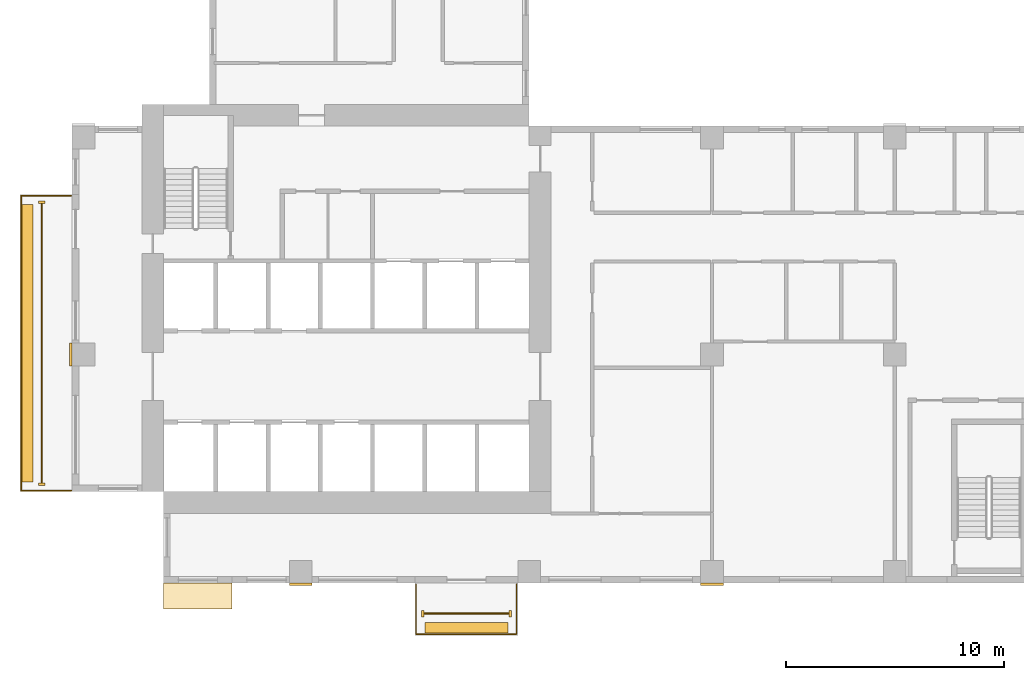
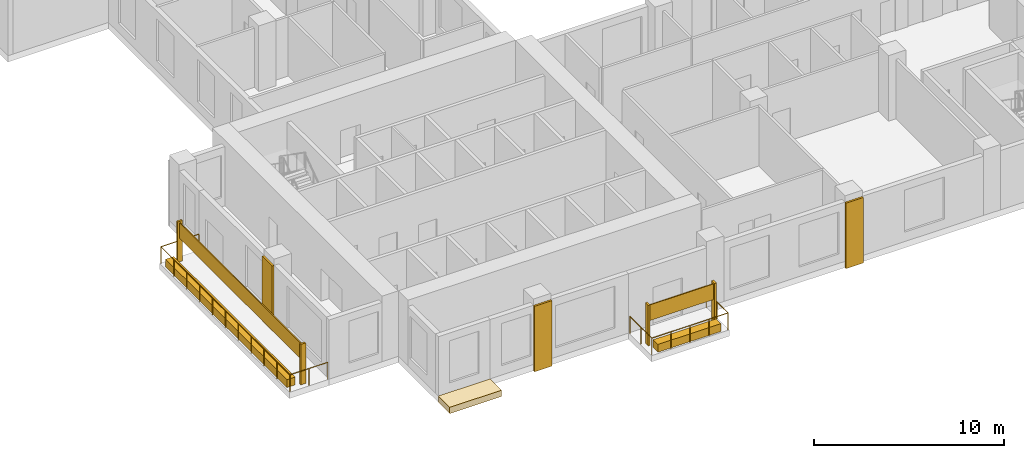
# One storey, part 9 of 13: 12 coverings, 2 railings.
"""IFC4 building model written with IfcOpenShell, lengths in metres."""

from ifc_helpers import new_model, si_unit, direction, frame, origin, origin_2d, place, context, subcontext, project, spatial, polyline, rectangle, circle, outline, extrude, source, transform, mapped, material, type_object, element, save


model = new_model("IFC4")

# Units and contexts
model_context = context("Model", 3, precision=1e-05, world=origin(), true_north=direction((0.0, 1.0)))
body_context = subcontext(model_context, "Body", "Model", "MODEL_VIEW")
ifc_project = project(units=[si_unit("LENGTHUNIT", "METRE"), si_unit("AREAUNIT", "SQUARE_METRE"), si_unit("VOLUMEUNIT", "CUBIC_METRE"), si_unit("PLANEANGLEUNIT", "RADIAN"), si_unit("MASSUNIT", "GRAM", prefix="KILO")], contexts=[model_context])

# Site, building, storey
site_placement = place(None, origin())
site = spatial("IfcSite", under=ifc_project, at=site_placement, CompositionType="ELEMENT")
building_placement = place(site_placement, origin())
building = spatial("IfcBuilding", under=site, at=building_placement, Name="Aurelian Terraces", CompositionType="ELEMENT")
storey_placement = place(building_placement, frame((0.0, 0.0, 158.1)))
storey = spatial("IfcBuildingStorey", under=building, at=storey_placement, Name="L35", CompositionType="ELEMENT", Elevation=158.1)

# Coverings
ifc_material_1 = material(Name="Terracotta rainscreen cladding relief", Category="masonry")
covering_type_1 = type_object("IfcCoveringType", Name="FIN-TC", PredefinedType="CLADDING", material=ifc_material_1)
shared_shape_1 = source(origin(), body_context, "Body", "SweptSolid", [
    extrude(rectangle(XDim=0.3, YDim=0.12, at=origin_2d()), origin(), (0.0, 0.0, 1.0), 2.6),
])
for number, where, z_axis, x_axis, name in (
    (1, (-1.4, 17.5, 0.0), (0.0, 0.0, 1.0), (1.0, 0.0, 0.0), "FIN L35 L35-F20-38.1"),
    (2, (-1.4, 4.55, 0.0), (0.0, 0.0, 1.0), (1.0, 0.0, 0.0), "FIN L35 L35-F20-38.2"),
):
    element("IfcCovering", number, at=place(storey_placement, frame(where, z_axis=z_axis, x_axis=x_axis)), inside=storey, type_object=covering_type_1, Name=name, PredefinedType="CLADDING", context=body_context, shape_type="MappedRepresentation", body=[
        mapped(shared_shape_1, transform((0.0, 0.0, 0.0), scale=1.0)),
    ])
shared_shape_2 = source(origin(), body_context, "Body", "SweptSolid", [
    extrude(rectangle(XDim=0.12, YDim=0.3, at=origin_2d()), origin(), (0.0, 0.0, 1.0), 2.6),
])
for number, where, z_axis, x_axis, name in (
    (3, (16.1, -1.4, 0.0), (0.0, 0.0, 1.0), (1.0, 0.0, 0.0), "FIN L35 L35-F01-04.1"),
    (4, (20.125, -1.4, 0.0), (0.0, 0.0, 1.0), (1.0, 0.0, 0.0), "FIN L35 L35-F01-04.2"),
):
    element("IfcCovering", number, at=place(storey_placement, frame(where, z_axis=z_axis, x_axis=x_axis)), inside=storey, type_object=covering_type_1, Name=name, PredefinedType="CLADDING", context=body_context, shape_type="MappedRepresentation", body=[
        mapped(shared_shape_2, transform((0.0, 0.0, 0.0), scale=1.0)),
    ])

# Railing
ifc_material_2 = material(Name="Anodised aluminium", Category="aluminium")
railing_type = type_object("IfcRailingType", Name="GUARD-1100", PredefinedType="GUARDRAIL", material=ifc_material_2)
shared_shape_3 = source(origin(), body_context, "Body", "SweptSolid", [
    extrude(circle(Radius=0.024, at=origin_2d()), frame((0.0, 0.0, 1.076), z_axis=(-1.0, 0.0, 0.0), x_axis=(0.0, -1.0, 0.0)), (0.0, 0.0, 1.0), 2.3),
    extrude(circle(Radius=0.024, at=origin_2d()), frame((-2.3, 0.0, 1.076), z_axis=(0.0, -1.0, 0.0), x_axis=(1.0, 0.0, 0.0)), (0.0, 0.0, 1.0), 13.55),
    extrude(circle(Radius=0.024, at=origin_2d()), frame((-2.3, -13.55, 1.076), z_axis=(1.0, 0.0, 0.0), x_axis=(0.0, 1.0, 0.0)), (0.0, 0.0, 1.0), 2.3),
    extrude(circle(Radius=0.021, at=origin_2d()), origin(), (0.0, 0.0, 1.0), 1.052),
    extrude(circle(Radius=0.021, at=origin_2d()), frame((-1.15, 0.0, 0.0)), (0.0, 0.0, 1.0), 1.052),
    extrude(circle(Radius=0.021, at=origin_2d()), frame((-2.3, 0.0, 0.0)), (0.0, 0.0, 1.0), 1.052),
    extrude(circle(Radius=0.021, at=origin_2d()), frame((-2.3, -1.355, 0.0)), (0.0, 0.0, 1.0), 1.052),
    extrude(circle(Radius=0.021, at=origin_2d()), frame((-2.3, -2.71, 0.0)), (0.0, 0.0, 1.0), 1.052),
    extrude(circle(Radius=0.021, at=origin_2d()), frame((-2.3, -4.065, 0.0)), (0.0, 0.0, 1.0), 1.052),
    extrude(circle(Radius=0.021, at=origin_2d()), frame((-2.3, -5.42, 0.0)), (0.0, 0.0, 1.0), 1.052),
    extrude(circle(Radius=0.021, at=origin_2d()), frame((-2.3, -6.775, 0.0)), (0.0, 0.0, 1.0), 1.052),
    extrude(circle(Radius=0.021, at=origin_2d()), frame((-2.3, -8.13, 0.0)), (0.0, 0.0, 1.0), 1.052),
    extrude(circle(Radius=0.021, at=origin_2d()), frame((-2.3, -9.485, 0.0)), (0.0, 0.0, 1.0), 1.052),
    extrude(circle(Radius=0.021, at=origin_2d()), frame((-2.3, -10.84, 0.0)), (0.0, 0.0, 1.0), 1.052),
    extrude(circle(Radius=0.021, at=origin_2d()), frame((-2.3, -12.195, 0.0)), (0.0, 0.0, 1.0), 1.052),
    extrude(circle(Radius=0.021, at=origin_2d()), frame((-2.3, -13.55, 0.0)), (0.0, 0.0, 1.0), 1.052),
    extrude(circle(Radius=0.021, at=origin_2d()), frame((-1.15, -13.55, 0.0)), (0.0, 0.0, 1.0), 1.052),
    extrude(circle(Radius=0.021, at=origin_2d()), frame((0.0, -13.55, 0.0)), (0.0, 0.0, 1.0), 1.052),
])
railing_1_placement = place(storey_placement, frame((-0.05, 17.8, 0.0)))
element("IfcRailing", 5, at=railing_1_placement, inside=storey, type_object=railing_type, Name="Balcony guard L35 F20.38", PredefinedType="GUARDRAIL", context=body_context, shape_type="MappedRepresentation", body=[
    mapped(shared_shape_3, transform((0.0, 0.0, 0.0), scale=1.0)),
])

# Coverings
ifc_material_3 = material(Name="Terracotta planter with planting soil", Category="masonry")
covering_type_2 = type_object("IfcCoveringType", Name="PLANTER-TROUGH", PredefinedType="USERDEFINED", material=ifc_material_3)
shared_shape_4 = source(origin(), body_context, "Body", "SweptSolid", [
    extrude(rectangle(XDim=0.5, YDim=12.75, at=origin_2d()), origin(), (0.0, 0.0, 1.0), 0.5),
])
covering_1_placement = place(storey_placement, frame((-2.05, 11.025, 0.0), z_axis=(0.0, 0.0, 1.0), x_axis=(1.0, 0.0, 0.0)))
element("IfcCovering", 6, at=covering_1_placement, inside=storey, type_object=covering_type_2, Name="PLANTER L35 L35-F20-38", ObjectType="PLANTER", PredefinedType="USERDEFINED", context=body_context, shape_type="MappedRepresentation", body=[
    mapped(shared_shape_4, transform((0.0, 0.0, 0.0), scale=1.0)),
])
ifc_material_4 = material(Name="Terracotta rainscreen cladding", Category="masonry")
covering_type_3 = type_object("IfcCoveringType", Name="SCREEN-TC", PredefinedType="CLADDING", material=ifc_material_4)
shared_shape_5 = source(origin(), body_context, "Body", "SweptSolid", [
    extrude(rectangle(XDim=0.06, YDim=12.83, at=origin_2d()), origin(), (0.0, 0.0, 1.0), 1.0),
])
covering_2_placement = place(storey_placement, frame((-1.4, 11.025, 1.5), z_axis=(0.0, 0.0, 1.0), x_axis=(1.0, 0.0, 0.0)))
element("IfcCovering", 7, at=covering_2_placement, inside=storey, type_object=covering_type_3, Name="SCREEN L35 L35-F20-38", PredefinedType="CLADDING", context=body_context, shape_type="MappedRepresentation", body=[
    mapped(shared_shape_5, transform((0.0, 0.0, 0.0), scale=1.0)),
])
ifc_material_5 = material(Name="Terracotta roof tiles on membrane", Category="masonry")
covering_type_4 = type_object("IfcCoveringType", Name="Bay roof cover", PredefinedType="ROOFING", material=ifc_material_5)
shared_shape_6 = source(origin(), body_context, "Body", "SweptSolid", [
    extrude(outline(polyline([(4.2, 0.0), (7.35, 0.0), (7.35, -1.2), (4.2, -1.2), (4.2, 0.0)])), origin(), (0.0, 0.0, 1.0), 0.4),
])
covering_3_placement = place(storey_placement, frame((0.0, 0.0, -0.4)))
element("IfcCovering", 8, at=covering_3_placement, inside=storey, type_object=covering_type_4, Name="Bay roof L35 4.20_-1.20_7.35_0.00", PredefinedType="ROOFING", context=body_context, shape_type="MappedRepresentation", body=[
    mapped(shared_shape_6, transform((0.0, 0.0, 0.0), scale=1.0)),
])
covering_type_5 = type_object("IfcCoveringType", Name="BAGUETTE-TC", PredefinedType="CLADDING", material=ifc_material_1)
shared_shape_7 = source(origin(), body_context, "Body", "SweptSolid", [
    extrude(rectangle(XDim=1.05, YDim=0.12, at=origin_2d()), origin(), (0.0, 0.0, 1.0), 4.2),
])
for number, where, z_axis, x_axis, name in (
    (9, (10.5, -0.06, -0.4), (0.0, 0.0, 1.0), (1.0, 0.0, 0.0), "BAGUETTE pier L35 1"),
    (10, (29.4, -0.06, -0.4), (0.0, 0.0, 1.0), (1.0, 0.0, 0.0), "BAGUETTE pier L35 2"),
):
    element("IfcCovering", number, at=place(storey_placement, frame(where, z_axis=z_axis, x_axis=x_axis)), inside=storey, type_object=covering_type_5, Name=name, PredefinedType="CLADDING", context=body_context, shape_type="MappedRepresentation", body=[
        mapped(shared_shape_7, transform((0.0, 0.0, 0.0), scale=1.0)),
    ])
shared_shape_8 = source(origin(), body_context, "Body", "SweptSolid", [
    extrude(rectangle(XDim=0.12, YDim=1.05, at=origin_2d()), origin(), (0.0, 0.0, 1.0), 4.2),
])
covering_4_placement = place(storey_placement, frame((-0.06, 10.5, -0.4), z_axis=(0.0, 0.0, 1.0), x_axis=(1.0, 0.0, 0.0)))
element("IfcCovering", 11, at=covering_4_placement, inside=storey, type_object=covering_type_5, Name="BAGUETTE pier L35 5", PredefinedType="CLADDING", context=body_context, shape_type="MappedRepresentation", body=[
    mapped(shared_shape_8, transform((0.0, 0.0, 0.0), scale=1.0)),
])

# Railing
shared_shape_9 = source(origin(), body_context, "Body", "SweptSolid", [
    extrude(circle(Radius=0.024, at=origin_2d()), frame((0.0, 0.0, 1.076), z_axis=(0.0, -1.0, 0.0), x_axis=(1.0, 0.0, 0.0)), (0.0, 0.0, 1.0), 2.3),
    extrude(circle(Radius=0.024, at=origin_2d()), frame((0.0, -2.3, 1.076), z_axis=(1.0, 0.0, 0.0), x_axis=(0.0, 1.0, 0.0)), (0.0, 0.0, 1.0), 4.625),
    extrude(circle(Radius=0.024, at=origin_2d()), frame((4.625, -2.3, 1.076), z_axis=(0.0, 1.0, 0.0), x_axis=(-1.0, 0.0, 0.0)), (0.0, 0.0, 1.0), 2.3),
    extrude(circle(Radius=0.021, at=origin_2d()), origin(), (0.0, 0.0, 1.0), 1.052),
    extrude(circle(Radius=0.021, at=origin_2d()), frame((0.0, -1.15, 0.0)), (0.0, 0.0, 1.0), 1.052),
    extrude(circle(Radius=0.021, at=origin_2d()), frame((0.0, -2.3, 0.0)), (0.0, 0.0, 1.0), 1.052),
    extrude(circle(Radius=0.021, at=origin_2d()), frame((1.1562, -2.3, 0.0)), (0.0, 0.0, 1.0), 1.052),
    extrude(circle(Radius=0.021, at=origin_2d()), frame((2.3125, -2.3, 0.0)), (0.0, 0.0, 1.0), 1.052),
    extrude(circle(Radius=0.021, at=origin_2d()), frame((3.4688, -2.3, 0.0)), (0.0, 0.0, 1.0), 1.052),
    extrude(circle(Radius=0.021, at=origin_2d()), frame((4.625, -2.3, 0.0)), (0.0, 0.0, 1.0), 1.052),
    extrude(circle(Radius=0.021, at=origin_2d()), frame((4.625, -1.15, 0.0)), (0.0, 0.0, 1.0), 1.052),
    extrude(circle(Radius=0.021, at=origin_2d()), frame((4.625, 0.0, 0.0)), (0.0, 0.0, 1.0), 1.052),
])
railing_2_placement = place(storey_placement, frame((15.8, -0.05, 0.0)))
element("IfcRailing", 12, at=railing_2_placement, inside=storey, type_object=railing_type, Name="Balcony guard L35 F01.4", PredefinedType="GUARDRAIL", context=body_context, shape_type="MappedRepresentation", body=[
    mapped(shared_shape_9, transform((0.0, 0.0, 0.0), scale=1.0)),
])

# Coverings
shared_shape_10 = source(origin(), body_context, "Body", "SweptSolid", [
    extrude(rectangle(XDim=3.825, YDim=0.5, at=origin_2d()), origin(), (0.0, 0.0, 1.0), 0.5),
])
covering_5_placement = place(storey_placement, frame((18.1125, -2.05, 0.0), z_axis=(0.0, 0.0, 1.0), x_axis=(1.0, 0.0, 0.0)))
element("IfcCovering", 13, at=covering_5_placement, inside=storey, type_object=covering_type_2, Name="PLANTER L35 L35-F01-04", ObjectType="PLANTER", PredefinedType="USERDEFINED", context=body_context, shape_type="MappedRepresentation", body=[
    mapped(shared_shape_10, transform((0.0, 0.0, 0.0), scale=1.0)),
])
shared_shape_11 = source(origin(), body_context, "Body", "SweptSolid", [
    extrude(rectangle(XDim=3.905, YDim=0.06, at=origin_2d()), origin(), (0.0, 0.0, 1.0), 1.0),
])
covering_6_placement = place(storey_placement, frame((18.1125, -1.4, 1.5), z_axis=(0.0, 0.0, 1.0), x_axis=(1.0, 0.0, 0.0)))
element("IfcCovering", 14, at=covering_6_placement, inside=storey, type_object=covering_type_3, Name="SCREEN L35 L35-F01-04", PredefinedType="CLADDING", context=body_context, shape_type="MappedRepresentation", body=[
    mapped(shared_shape_11, transform((0.0, 0.0, 0.0), scale=1.0)),
])

save(model, "model.ifc")
